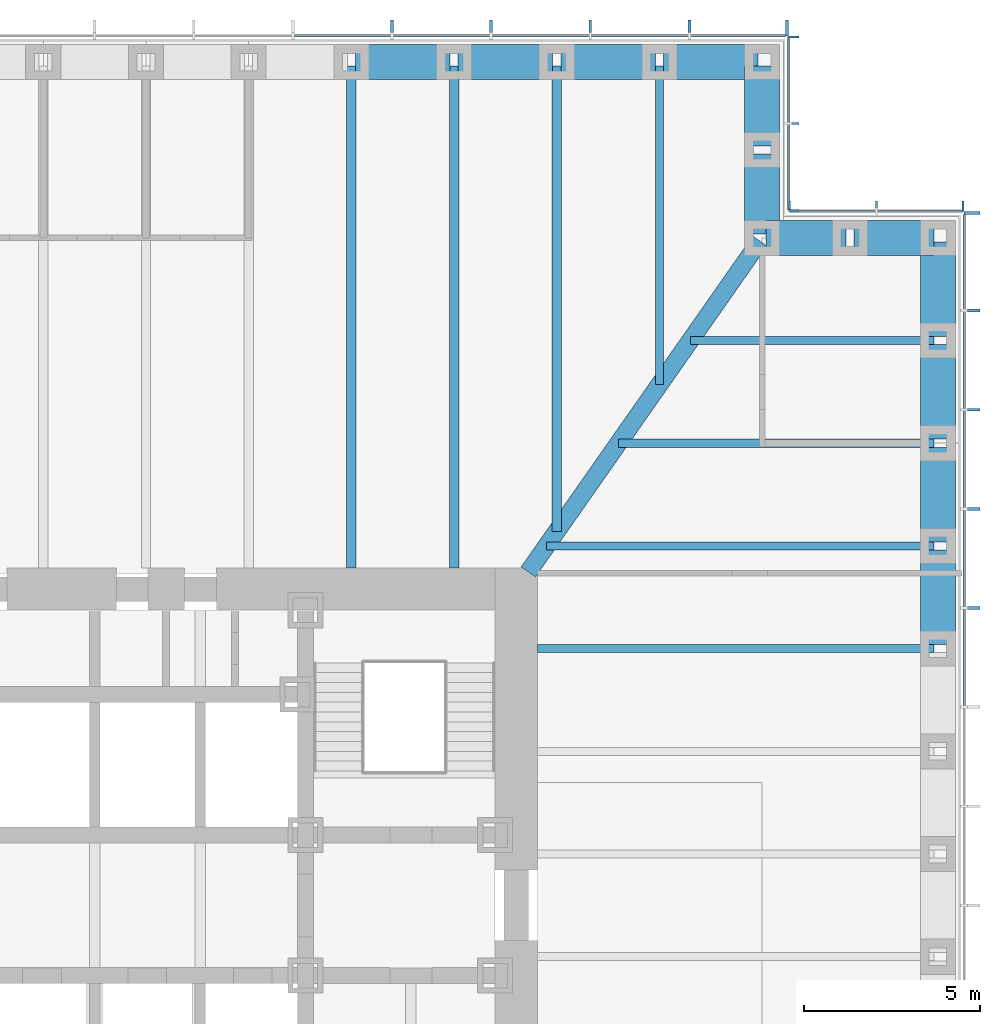
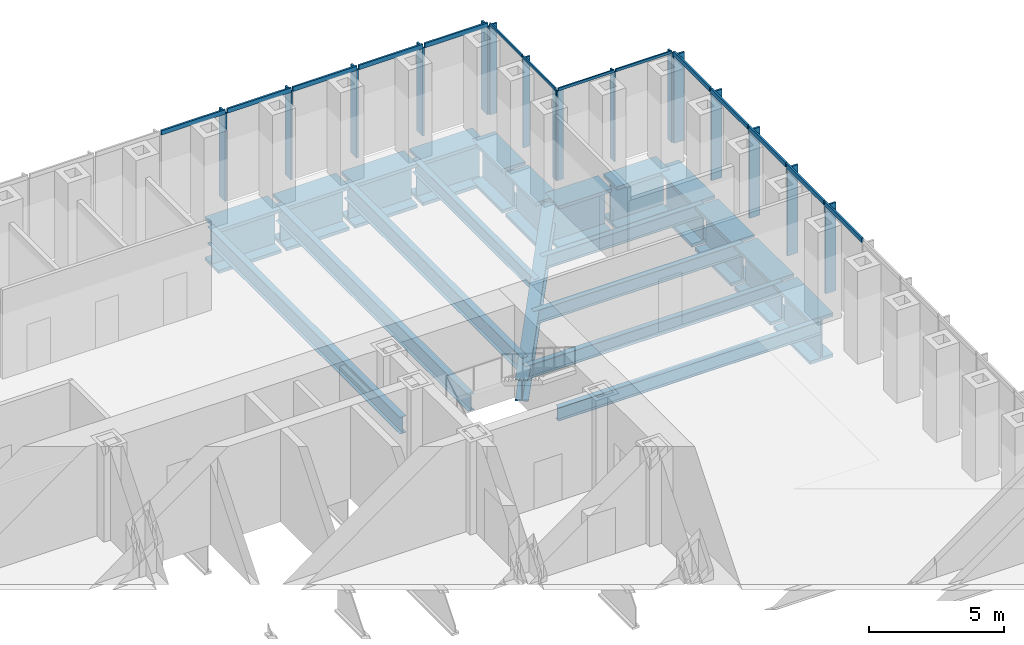
# One storey, part 6 of 16: 30 members, 21 beams, 4 elements without a shape of their own.
"""IFC4 building model written with IfcOpenShell, lengths in metres."""

import ifcopenshell
import ifcopenshell.guid

model = None  # the IFC model being written
_history = None  # IfcOwnerHistory: only IFC2X3 demands one
_inside = {}  # id of a spatial element -> (the spatial element, [elements in it])
_under = {}  # id of a project, library or spatial element -> (it, [spatial elements below it])
_declared = {}  # id of a project -> (the project, [libraries it declares])
_typed = {}  # id of a type object -> (the type object, [elements of that type])
_made_of = {}  # id of a material, layer set ... -> (it, [elements and type objects made of it])


def new_model(schema):
    """Start an empty IFC model of exactly this schema.

    Asked for "IFC4X3", IfcOpenShell would pick the latest addendum, in which some entities
    have other attributes; the version numbers below select the first issue.
    IFC2X3 requires an IfcOwnerHistory on every rooted entity: one is made here for all.
    """
    global model, _history
    if schema == "IFC4X3":
        model = ifcopenshell.file(schema_version=(4, 3, 0, 0))
    else:
        model = ifcopenshell.file(schema=schema)
    _inside.clear()
    _under.clear()
    _declared.clear()
    _typed.clear()
    _made_of.clear()
    _history = None
    if model.schema == "IFC2X3":
        org = make("IfcOrganization", Name="unknown")
        user = make(
            "IfcPersonAndOrganization",
            ThePerson=make("IfcPerson", FamilyName="unknown"),
            TheOrganization=org,
        )
        app = make(
            "IfcApplication",
            ApplicationDeveloper=org,
            Version="unknown",
            ApplicationFullName="unknown",
            ApplicationIdentifier="unknown",
        )
        _history = make(
            "IfcOwnerHistory",
            OwningUser=user,
            OwningApplication=app,
            ChangeAction="ADDED",
            CreationDate=0,
        )
    return model


def make(cls, **values):
    """One entity of the class cls with the attributes given. An attribute that is None is left unset."""
    return model.create_entity(
        cls, **{name: value for name, value in values.items() if value is not None}
    )


def rooted(cls, **values):
    """An entity with a GlobalId (a new one), such as an element, a storey or a relation."""
    return make(cls, GlobalId=ifcopenshell.guid.new(), OwnerHistory=_history, **values)


def si_unit(unit_type, name, prefix=None):
    """IfcSIUnit, for example si_unit("LENGTHUNIT", "METRE", prefix="MILLI")."""
    return make("IfcSIUnit", UnitType=unit_type, Prefix=prefix, Name=name)


def assignment(units):
    """IfcUnitAssignment: the units of a project."""
    return None if units is None else make("IfcUnitAssignment", Units=units)


def point(xyz):
    """IfcCartesianPoint."""
    return None if xyz is None else make("IfcCartesianPoint", Coordinates=xyz)


def direction(xyz):
    """IfcDirection."""
    return None if xyz is None else make("IfcDirection", DirectionRatios=xyz)


def frame(location, z_axis=None, x_axis=None):
    """IfcAxis2Placement3D, a coordinate frame: its origin and axes. An axis left out is left unset."""
    return make(
        "IfcAxis2Placement3D",
        Location=point(location),
        Axis=direction(z_axis),
        RefDirection=direction(x_axis),
    )


def frame_2d(location, x_axis=None):
    """IfcAxis2Placement2D, a coordinate frame in the plane: its origin and x axis."""
    return make(
        "IfcAxis2Placement2D", Location=point(location), RefDirection=direction(x_axis)
    )


def origin():
    """The frame at (0, 0, 0) with its axes left unset."""
    return frame((0.0, 0.0, 0.0))


def origin_2d():
    """The frame at (0, 0) in the plane with its x axis left unset."""
    return frame_2d((0.0, 0.0))


def place(relative_to, where):
    """IfcLocalPlacement: puts the frame where relative to a parent placement (None: the world)."""
    return make(
        "IfcLocalPlacement", PlacementRelTo=relative_to, RelativePlacement=where
    )


def context(
    kind, dimensions, precision=None, world=None, true_north=None, identifier=None
):
    """IfcGeometricRepresentationContext, for example the 3D "Model" context."""
    return make(
        "IfcGeometricRepresentationContext",
        ContextIdentifier=identifier,
        ContextType=kind,
        CoordinateSpaceDimension=dimensions,
        Precision=precision,
        WorldCoordinateSystem=world,
        TrueNorth=true_north,
    )


def subcontext(parent, identifier, kind, view, scale=None):
    """IfcGeometricRepresentationSubContext, for example "Body" below "Model"."""
    return make(
        "IfcGeometricRepresentationSubContext",
        ContextIdentifier=identifier,
        ContextType=kind,
        ParentContext=parent,
        TargetScale=scale,
        TargetView=view,
    )


def project(units=None, contexts=None):
    """IfcProject with its units and contexts."""
    return rooted(
        "IfcProject",
        Name="project",
        RepresentationContexts=contexts,
        UnitsInContext=assignment(units),
    )


def spatial(cls, under=None, at=None, **own):
    """A site, building, storey or space (cls), placed at a placement, below another one or the project."""
    s = rooted(cls, ObjectPlacement=at, **own)
    if under is not None:
        _under.setdefault(under.id(), (under, []))[1].append(s)
    return s


def profile(cls, at=None, kind="AREA", **sizes):
    """A parametric profile (cls). Its sizes go by their IFC names, for example OverallWidth=200.0."""
    return make(cls, ProfileType=kind, Position=at, **sizes)


def rectangle(**sizes):
    """IfcRectangleProfileDef."""
    return profile("IfcRectangleProfileDef", **sizes)


def i_section(**sizes):
    """IfcIShapeProfileDef."""
    return profile("IfcIShapeProfileDef", **sizes)


def extrude(swept, where, along, depth):
    """IfcExtrudedAreaSolid: the profile swept, set in the frame where, extruded along a direction by depth."""
    return make(
        "IfcExtrudedAreaSolid",
        SweptArea=swept,
        Position=where,
        ExtrudedDirection=direction(along),
        Depth=depth,
    )


def shape(context_of_items, identifier, shape_type, items):
    """IfcShapeRepresentation: the items that make up one representation, for example the "Body"."""
    return make(
        "IfcShapeRepresentation",
        ContextOfItems=context_of_items,
        RepresentationIdentifier=identifier,
        RepresentationType=shape_type,
        Items=items,
    )


def material(Name=None, Category=None):
    """IfcMaterial."""
    return make("IfcMaterial", Name=Name, Category=Category)


def material_profile(
    of_material, cross_section, Name=None, Category=None, Priority=None
):
    """IfcMaterialProfile: a cross section and its material."""
    return make(
        "IfcMaterialProfile",
        Name=Name,
        Material=of_material,
        Profile=cross_section,
        Priority=Priority,
        Category=Category,
    )


def profile_set(profiles, Name=None, composite=None):
    """IfcMaterialProfileSet."""
    return make(
        "IfcMaterialProfileSet",
        Name=Name,
        MaterialProfiles=profiles,
        CompositeProfile=composite,
    )


def made_of(thing, what):
    """Note that an element or type object is made of a material, layer set ...; save() writes the relation."""
    if what is not None:
        _made_of.setdefault(what.id(), (what, []))[1].append(thing)
    return thing


def type_object(cls, material=None, **own):
    """A type object (cls), such as IfcWallType, which elements share."""
    return made_of(rooted(cls, **own), material)


def element(
    cls,
    number,
    at=None,
    inside=None,
    cuts=None,
    type_object=None,
    material=None,
    context=None,
    identifier="Body",
    shape_type=None,
    held_by="IfcProductDefinitionShape",
    body=None,
    shapes=None,
    **own,
):
    """One element of the class cls, such as IfcWall. Its Tag is "e" and its number.

    at: its placement. inside: the storey or other place that contains it. cuts: it is an
    opening in that element (IfcRelVoidsElement). A single representation is given by context,
    identifier, shape_type and body (its items); several are given by shapes. held_by: the class
    of the entity that holds the representations. save() writes the other relations.
    """
    e = rooted(cls, Tag="e%d" % number, ObjectPlacement=at, **own)
    if body is not None:
        shapes = [shape(context, identifier, shape_type, body)]
    if shapes is not None:
        e.Representation = make(held_by, Representations=shapes)
    if inside is not None:
        _inside.setdefault(inside.id(), (inside, []))[1].append(e)
    if cuts is not None:
        rooted(
            "IfcRelVoidsElement", RelatingBuildingElement=cuts, RelatedOpeningElement=e
        )
    if type_object is not None:
        _typed.setdefault(type_object.id(), (type_object, []))[1].append(e)
    return made_of(e, material)


def aggregate(whole, parts):
    """IfcRelAggregates: a whole, such as a stair, and the parts it consists of."""
    return rooted("IfcRelAggregates", RelatingObject=whole, RelatedObjects=parts)


def save(model, path):
    """Write the relations noted so far, then the file.

    IfcRelAggregates (storeys below a building ...), IfcRelContainedInSpatialStructure (elements
    in a storey), IfcRelDefinesByType, IfcRelAssociatesMaterial and IfcRelDeclares: one each for
    every whole, place, type object, material and project.
    """
    for whole, parts in _under.values():
        aggregate(whole, parts)
    for where, things in _inside.values():
        rooted(
            "IfcRelContainedInSpatialStructure",
            RelatedElements=things,
            RelatingStructure=where,
        )
    for kind, things in _typed.values():
        rooted("IfcRelDefinesByType", RelatedObjects=things, RelatingType=kind)
    for what, things in _made_of.values():
        rooted("IfcRelAssociatesMaterial", RelatedObjects=things, RelatingMaterial=what)
    for by, libraries in _declared.values():
        rooted("IfcRelDeclares", RelatingContext=by, RelatedDefinitions=libraries)
    model.write(path)


model = new_model("IFC4")

# Units and contexts
model_context = context("Model", 3, precision=1e-05, world=origin(), true_north=direction((0.0, 1.0)))
body_context = subcontext(model_context, "Body", "Model", "MODEL_VIEW")
ifc_project = project(units=[si_unit("LENGTHUNIT", "METRE"), si_unit("AREAUNIT", "SQUARE_METRE"), si_unit("VOLUMEUNIT", "CUBIC_METRE"), si_unit("PLANEANGLEUNIT", "RADIAN"), si_unit("MASSUNIT", "GRAM", prefix="KILO")], contexts=[model_context])

# Site, building, storey
site_placement = place(None, origin())
site = spatial("IfcSite", under=ifc_project, at=site_placement, CompositionType="ELEMENT")
building_placement = place(site_placement, origin())
building = spatial("IfcBuilding", under=site, at=building_placement, Name="Daluyong Arena Tower", CompositionType="ELEMENT")
storey_placement = place(building_placement, frame((0.0, 0.0, 43.300048828125)))
storey = spatial("IfcBuildingStorey", under=building, at=storey_placement, Name="L08", CompositionType="ELEMENT", Elevation=43.300048828125)

# Curtain wall, members
ifc_material_1 = material(Name="Bronze anodised aluminium and glass", Category="aluminium")
curtain_wall_type_1 = type_object("IfcCurtainWallType", Name="Curtain wall CW1", PredefinedType="USERDEFINED", material=ifc_material_1)
curtain_wall_1_placement = place(storey_placement, origin())
curtain_wall_1 = element("IfcCurtainWall", 1, at=curtain_wall_1_placement, inside=storey, type_object=curtain_wall_type_1, Name="curtain wall L08 E", ObjectType="UNITISED CURTAIN WALL", PredefinedType="USERDEFINED")
ifc_material_2 = material(Name="Bronze anodised aluminium fin", Category="aluminium")
ifc_material_profile_1 = material_profile(ifc_material_2, rectangle(XDim=0.449951171875, YDim=0.080078125, at=origin_2d()))
ifc_profile_set_1 = profile_set([ifc_material_profile_1], Name="Bronze anodised aluminium fin")
member_type_1 = type_object("IfcMemberType", Name="CW1 bronze fin 450x80", PredefinedType="MULLION", material=ifc_profile_set_1)
member_1_placement = place(storey_placement, frame((80.97509765625, 88.46435546875, 0.0), z_axis=(0.0, 0.0, 1.0), x_axis=(-1.0, 0.0, 0.0)))
member_1 = element("IfcMember", 2, at=member_1_placement, type_object=member_type_1, Name="curtain wall L08 E fin 11", PredefinedType="MULLION", context=body_context, shape_type="SweptSolid", body=[
    extrude(rectangle(XDim=0.449951171875, YDim=0.080078125, at=origin_2d()), origin(), (0.0, 0.0, 1.0), 4.0),
])
member_2_placement = place(storey_placement, frame((80.97509765625, 91.28564453125, 0.0), z_axis=(0.0, 0.0, 1.0), x_axis=(-1.0, 0.0, 0.0)))
member_2 = element("IfcMember", 3, at=member_2_placement, type_object=member_type_1, Name="curtain wall L08 E fin 12", PredefinedType="MULLION", context=body_context, shape_type="SweptSolid", body=[
    extrude(rectangle(XDim=0.449951171875, YDim=0.080078125, at=origin_2d()), origin(), (0.0, 0.0, 1.0), 4.0),
])
member_3_placement = place(storey_placement, frame((80.97509765625, 94.107177734375, 0.0), z_axis=(0.0, 0.0, 1.0), x_axis=(-1.0, 0.0, 0.0)))
member_3 = element("IfcMember", 4, at=member_3_placement, type_object=member_type_1, Name="curtain wall L08 E fin 13", PredefinedType="MULLION", context=body_context, shape_type="SweptSolid", body=[
    extrude(rectangle(XDim=0.449951171875, YDim=0.080078125, at=origin_2d()), origin(), (0.0, 0.0, 1.0), 4.0),
])
member_4_placement = place(storey_placement, frame((80.97509765625, 96.928466796875, 0.0), z_axis=(0.0, 0.0, 1.0), x_axis=(-1.0, 0.0, 0.0)))
member_4 = element("IfcMember", 5, at=member_4_placement, type_object=member_type_1, Name="curtain wall L08 E fin 14", PredefinedType="MULLION", context=body_context, shape_type="SweptSolid", body=[
    extrude(rectangle(XDim=0.449951171875, YDim=0.080078125, at=origin_2d()), origin(), (0.0, 0.0, 1.0), 4.0),
])
member_5_placement = place(storey_placement, frame((80.97509765625, 99.7099609375, 0.0), z_axis=(0.0, 0.0, 1.0), x_axis=(-1.0, 0.0, 0.0)))
member_5 = element("IfcMember", 6, at=member_5_placement, type_object=member_type_1, Name="curtain wall L08 E fin 15", PredefinedType="MULLION", context=body_context, shape_type="SweptSolid", body=[
    extrude(rectangle(XDim=0.449951171875, YDim=0.080078125, at=origin_2d()), origin(), (0.0, 0.0, 1.0), 4.0),
])

curtain_wall_2_placement = place(storey_placement, origin())
curtain_wall_2 = element("IfcCurtainWall", 7, at=curtain_wall_2_placement, inside=storey, type_object=curtain_wall_type_1, Name="curtain wall L08 N", ObjectType="UNITISED CURTAIN WALL", PredefinedType="USERDEFINED")
member_6_placement = place(storey_placement, frame((75.7099609375, 104.97509765625, 0.0), z_axis=(0.0, 0.0, 1.0), x_axis=(0.0, -1.0, 0.0)))
member_6 = element("IfcMember", 8, at=member_6_placement, type_object=member_type_1, Name="curtain wall L08 N fin 1", PredefinedType="MULLION", context=body_context, shape_type="SweptSolid", body=[
    extrude(rectangle(XDim=0.449951171875, YDim=0.080078125, at=origin_2d()), origin(), (0.0, 0.0, 1.0), 4.0),
])
member_7_placement = place(storey_placement, frame((72.928466796875, 104.97509765625, 0.0), z_axis=(0.0, 0.0, 1.0), x_axis=(0.0, -1.0, 0.0)))
member_7 = element("IfcMember", 9, at=member_7_placement, type_object=member_type_1, Name="curtain wall L08 N fin 2", PredefinedType="MULLION", context=body_context, shape_type="SweptSolid", body=[
    extrude(rectangle(XDim=0.449951171875, YDim=0.080078125, at=origin_2d()), origin(), (0.0, 0.0, 1.0), 4.0),
])
member_8_placement = place(storey_placement, frame((70.107177734375, 104.97509765625, 0.0), z_axis=(0.0, 0.0, 1.0), x_axis=(0.0, -1.0, 0.0)))
member_8 = element("IfcMember", 10, at=member_8_placement, type_object=member_type_1, Name="curtain wall L08 N fin 3", PredefinedType="MULLION", context=body_context, shape_type="SweptSolid", body=[
    extrude(rectangle(XDim=0.449951171875, YDim=0.080078125, at=origin_2d()), origin(), (0.0, 0.0, 1.0), 4.0),
])
member_9_placement = place(storey_placement, frame((67.28564453125, 104.97509765625, 0.0), z_axis=(0.0, 0.0, 1.0), x_axis=(0.0, -1.0, 0.0)))
member_9 = element("IfcMember", 11, at=member_9_placement, type_object=member_type_1, Name="curtain wall L08 N fin 4", PredefinedType="MULLION", context=body_context, shape_type="SweptSolid", body=[
    extrude(rectangle(XDim=0.449951171875, YDim=0.080078125, at=origin_2d()), origin(), (0.0, 0.0, 1.0), 4.0),
])
member_10_placement = place(storey_placement, frame((64.46435546875, 104.97509765625, 0.0), z_axis=(0.0, 0.0, 1.0), x_axis=(0.0, -1.0, 0.0)))
member_10 = element("IfcMember", 12, at=member_10_placement, type_object=member_type_1, Name="curtain wall L08 N fin 5", PredefinedType="MULLION", context=body_context, shape_type="SweptSolid", body=[
    extrude(rectangle(XDim=0.449951171875, YDim=0.080078125, at=origin_2d()), origin(), (0.0, 0.0, 1.0), 4.0),
])

# Member
ifc_material_3 = material(Name="Bronze anodised aluminium", Category="aluminium")
ifc_material_profile_2 = material_profile(ifc_material_3, rectangle(XDim=0.080078125, YDim=0.199951171875, at=origin_2d()))
ifc_profile_set_2 = profile_set([ifc_material_profile_2], Name="Bronze anodised aluminium")
member_type_2 = type_object("IfcMemberType", Name="CW1 stack transom 200x80", PredefinedType="USERDEFINED", material=ifc_profile_set_2)
member_11_placement = place(storey_placement, frame((80.75, 85.682861328125, 4.099853515625), z_axis=(0.0, 1.0, 0.0), x_axis=(-1.0, 0.0, 0.0)))
member_11 = element("IfcMember", 13, at=member_11_placement, type_object=member_type_2, Name="curtain wall L08 E transom 10", ObjectType="TRANSOM", PredefinedType="USERDEFINED", context=body_context, shape_type="SweptSolid", body=[
    extrude(rectangle(XDim=0.080078125, YDim=0.199951171875, at=origin_2d()), origin(), (0.0, 0.0, 1.0), 2.741455078125),
])

member_12_placement = place(storey_placement, frame((80.75, 88.50439453125, 4.099853515625), z_axis=(0.0, 1.0, 0.0), x_axis=(-1.0, 0.0, 0.0)))
member_12 = element("IfcMember", 14, at=member_12_placement, type_object=member_type_2, Name="curtain wall L08 E transom 11", ObjectType="TRANSOM", PredefinedType="USERDEFINED", context=body_context, shape_type="SweptSolid", body=[
    extrude(rectangle(XDim=0.080078125, YDim=0.199951171875, at=origin_2d()), origin(), (0.0, 0.0, 1.0), 2.7412109375),
])

member_13_placement = place(storey_placement, frame((80.75, 91.32568359375, 4.099853515625), z_axis=(0.0, 1.0, 0.0), x_axis=(-1.0, 0.0, 0.0)))
member_13 = element("IfcMember", 15, at=member_13_placement, type_object=member_type_2, Name="curtain wall L08 E transom 12", ObjectType="TRANSOM", PredefinedType="USERDEFINED", context=body_context, shape_type="SweptSolid", body=[
    extrude(rectangle(XDim=0.080078125, YDim=0.199951171875, at=origin_2d()), origin(), (0.0, 0.0, 1.0), 2.741455078125),
])

member_14_placement = place(storey_placement, frame((80.75, 94.147216796875, 4.099853515625), z_axis=(0.0, 1.0, 0.0), x_axis=(-1.0, 0.0, 0.0)))
member_14 = element("IfcMember", 16, at=member_14_placement, type_object=member_type_2, Name="curtain wall L08 E transom 13", ObjectType="TRANSOM", PredefinedType="USERDEFINED", context=body_context, shape_type="SweptSolid", body=[
    extrude(rectangle(XDim=0.080078125, YDim=0.199951171875, at=origin_2d()), origin(), (0.0, 0.0, 1.0), 2.741455078125),
])

member_15_placement = place(storey_placement, frame((80.75, 96.968505859375, 4.099853515625), z_axis=(0.0, 1.0, 0.0), x_axis=(-1.0, 0.0, 0.0)))
member_15 = element("IfcMember", 17, at=member_15_placement, type_object=member_type_2, Name="curtain wall L08 E transom 14", ObjectType="TRANSOM", PredefinedType="USERDEFINED", context=body_context, shape_type="SweptSolid", body=[
    extrude(rectangle(XDim=0.080078125, YDim=0.199951171875, at=origin_2d()), origin(), (0.0, 0.0, 1.0), 2.701416015625),
])

aggregate(curtain_wall_1, [member_1, member_2, member_3, member_4, member_5, member_11, member_12, member_13, member_14, member_15])

member_16_placement = place(storey_placement, frame((75.669921875, 104.75, 4.099853515625), z_axis=(-1.0, 0.0, 0.0), x_axis=(0.0, -1.0, 0.0)))
member_16 = element("IfcMember", 18, at=member_16_placement, type_object=member_type_2, Name="curtain wall L08 N transom 1", ObjectType="TRANSOM", PredefinedType="USERDEFINED", context=body_context, shape_type="SweptSolid", body=[
    extrude(rectangle(XDim=0.080078125, YDim=0.199951171875, at=origin_2d()), origin(), (0.0, 0.0, 1.0), 2.701416015625),
])

member_17_placement = place(storey_placement, frame((72.888671875, 104.75, 4.099853515625), z_axis=(-1.0, 0.0, 0.0), x_axis=(0.0, -1.0, 0.0)))
member_17 = element("IfcMember", 19, at=member_17_placement, type_object=member_type_2, Name="curtain wall L08 N transom 2", ObjectType="TRANSOM", PredefinedType="USERDEFINED", context=body_context, shape_type="SweptSolid", body=[
    extrude(rectangle(XDim=0.080078125, YDim=0.199951171875, at=origin_2d()), origin(), (0.0, 0.0, 1.0), 2.741455078125),
])

member_18_placement = place(storey_placement, frame((70.067138671875, 104.75, 4.099853515625), z_axis=(-1.0, 0.0, 0.0), x_axis=(0.0, -1.0, 0.0)))
member_18 = element("IfcMember", 20, at=member_18_placement, type_object=member_type_2, Name="curtain wall L08 N transom 3", ObjectType="TRANSOM", PredefinedType="USERDEFINED", context=body_context, shape_type="SweptSolid", body=[
    extrude(rectangle(XDim=0.080078125, YDim=0.199951171875, at=origin_2d()), origin(), (0.0, 0.0, 1.0), 2.741455078125),
])

member_19_placement = place(storey_placement, frame((67.24560546875, 104.75, 4.099853515625), z_axis=(-1.0, 0.0, 0.0), x_axis=(0.0, -1.0, 0.0)))
member_19 = element("IfcMember", 21, at=member_19_placement, type_object=member_type_2, Name="curtain wall L08 N transom 4", ObjectType="TRANSOM", PredefinedType="USERDEFINED", context=body_context, shape_type="SweptSolid", body=[
    extrude(rectangle(XDim=0.080078125, YDim=0.199951171875, at=origin_2d()), origin(), (0.0, 0.0, 1.0), 2.7412109375),
])

member_20_placement = place(storey_placement, frame((64.42431640625, 104.75, 4.099853515625), z_axis=(-1.0, 0.0, 0.0), x_axis=(0.0, -1.0, 0.0)))
member_20 = element("IfcMember", 22, at=member_20_placement, type_object=member_type_2, Name="curtain wall L08 N transom 5", ObjectType="TRANSOM", PredefinedType="USERDEFINED", context=body_context, shape_type="SweptSolid", body=[
    extrude(rectangle(XDim=0.080078125, YDim=0.199951171875, at=origin_2d()), origin(), (0.0, 0.0, 1.0), 2.741455078125),
])

aggregate(curtain_wall_2, [member_6, member_7, member_8, member_9, member_10, member_16, member_17, member_18, member_19, member_20])

# Curtain wall, members
ifc_material_4 = material(Name="Bronze anodised aluminium and glass", Category="aluminium")
curtain_wall_type_2 = type_object("IfcCurtainWallType", Name="Curtain wall CW7", PredefinedType="USERDEFINED", material=ifc_material_4)
curtain_wall_3_placement = place(storey_placement, origin())
curtain_wall_3 = element("IfcCurtainWall", 23, at=curtain_wall_3_placement, inside=storey, type_object=curtain_wall_type_2, Name="curtain wall L08 NE-N", ObjectType="UNITISED CURTAIN WALL", PredefinedType="USERDEFINED")
ifc_material_5 = material(Name="Bronze anodised aluminium fin", Category="aluminium")
ifc_material_profile_3 = material_profile(ifc_material_5, rectangle(XDim=0.300048828125, YDim=0.06005859375, at=origin_2d()))
ifc_profile_set_3 = profile_set([ifc_material_profile_3], Name="Bronze anodised aluminium fin")
member_type_3 = type_object("IfcMemberType", Name="CW7 bronze fin 300x60", PredefinedType="MULLION", material=ifc_profile_set_3)
member_21_placement = place(storey_placement, frame((80.719970703125, 99.89990234375, 0.0), z_axis=(0.0, 0.0, 1.0), x_axis=(0.0, -1.0, 0.0)))
member_21 = element("IfcMember", 24, at=member_21_placement, type_object=member_type_3, Name="curtain wall L08 NE-N fin 1", PredefinedType="MULLION", context=body_context, shape_type="SweptSolid", body=[
    extrude(rectangle(XDim=0.300048828125, YDim=0.06005859375, at=origin_2d()), origin(), (0.0, 0.0, 1.0), 4.079833984375),
])
member_22_placement = place(storey_placement, frame((78.25, 99.89990234375, 0.0), z_axis=(0.0, 0.0, 1.0), x_axis=(0.0, -1.0, 0.0)))
member_22 = element("IfcMember", 25, at=member_22_placement, type_object=member_type_3, Name="curtain wall L08 NE-N fin 2", PredefinedType="MULLION", context=body_context, shape_type="SweptSolid", body=[
    extrude(rectangle(XDim=0.300048828125, YDim=0.06005859375, at=origin_2d()), origin(), (0.0, 0.0, 1.0), 4.079833984375),
])
member_23_placement = place(storey_placement, frame((75.780029296875, 99.89990234375, 0.0), z_axis=(0.0, 0.0, 1.0), x_axis=(0.0, -1.0, 0.0)))
member_23 = element("IfcMember", 26, at=member_23_placement, type_object=member_type_3, Name="curtain wall L08 NE-N fin 3", PredefinedType="MULLION", context=body_context, shape_type="SweptSolid", body=[
    extrude(rectangle(XDim=0.300048828125, YDim=0.06005859375, at=origin_2d()), origin(), (0.0, 0.0, 1.0), 4.079833984375),
])

curtain_wall_4_placement = place(storey_placement, origin())
curtain_wall_4 = element("IfcCurtainWall", 27, at=curtain_wall_4_placement, inside=storey, type_object=curtain_wall_type_2, Name="curtain wall L08 NE-E", ObjectType="UNITISED CURTAIN WALL", PredefinedType="USERDEFINED")
member_24_placement = place(storey_placement, frame((75.89990234375, 99.780029296875, 0.0), z_axis=(0.0, 0.0, 1.0), x_axis=(-1.0, 0.0, 0.0)))
member_24 = element("IfcMember", 28, at=member_24_placement, type_object=member_type_3, Name="curtain wall L08 NE-E fin 1", PredefinedType="MULLION", context=body_context, shape_type="SweptSolid", body=[
    extrude(rectangle(XDim=0.300048828125, YDim=0.06005859375, at=origin_2d()), origin(), (0.0, 0.0, 1.0), 4.079833984375),
])
member_25_placement = place(storey_placement, frame((75.89990234375, 102.25, 0.0), z_axis=(0.0, 0.0, 1.0), x_axis=(-1.0, 0.0, 0.0)))
member_25 = element("IfcMember", 29, at=member_25_placement, type_object=member_type_3, Name="curtain wall L08 NE-E fin 2", PredefinedType="MULLION", context=body_context, shape_type="SweptSolid", body=[
    extrude(rectangle(XDim=0.300048828125, YDim=0.06005859375, at=origin_2d()), origin(), (0.0, 0.0, 1.0), 4.079833984375),
])
member_26_placement = place(storey_placement, frame((75.89990234375, 104.719970703125, 0.0), z_axis=(0.0, 0.0, 1.0), x_axis=(-1.0, 0.0, 0.0)))
member_26 = element("IfcMember", 30, at=member_26_placement, type_object=member_type_3, Name="curtain wall L08 NE-E fin 3", PredefinedType="MULLION", context=body_context, shape_type="SweptSolid", body=[
    extrude(rectangle(XDim=0.300048828125, YDim=0.06005859375, at=origin_2d()), origin(), (0.0, 0.0, 1.0), 4.079833984375),
])

# Member
ifc_material_6 = material(Name="Bronze anodised aluminium", Category="aluminium")
ifc_material_profile_4 = material_profile(ifc_material_6, rectangle(XDim=0.06005859375, YDim=0.1201171875, at=origin_2d()))
ifc_profile_set_4 = profile_set([ifc_material_profile_4], Name="Bronze anodised aluminium")
member_type_4 = type_object("IfcMemberType", Name="CW7 stack transom 120x60", PredefinedType="USERDEFINED", material=ifc_profile_set_4)
member_27_placement = place(storey_placement, frame((80.68994140625, 99.75, 4.139892578125), z_axis=(-1.0, 0.0, 0.0), x_axis=(0.0, -1.0, 0.0)))
member_27 = element("IfcMember", 31, at=member_27_placement, type_object=member_type_4, Name="curtain wall L08 NE-N transom 1", ObjectType="TRANSOM", PredefinedType="USERDEFINED", context=body_context, shape_type="SweptSolid", body=[
    extrude(rectangle(XDim=0.06005859375, YDim=0.1201171875, at=origin_2d()), origin(), (0.0, 0.0, 1.0), 2.409912109375),
])

member_28_placement = place(storey_placement, frame((78.219970703125, 99.75, 4.139892578125), z_axis=(-1.0, 0.0, 0.0), x_axis=(0.0, -1.0, 0.0)))
member_28 = element("IfcMember", 32, at=member_28_placement, type_object=member_type_4, Name="curtain wall L08 NE-N transom 2", ObjectType="TRANSOM", PredefinedType="USERDEFINED", context=body_context, shape_type="SweptSolid", body=[
    extrude(rectangle(XDim=0.06005859375, YDim=0.1201171875, at=origin_2d()), origin(), (0.0, 0.0, 1.0), 2.409912109375),
])

aggregate(curtain_wall_3, [member_21, member_22, member_23, member_27, member_28])

member_29_placement = place(storey_placement, frame((75.75, 99.81005859375, 4.139892578125), z_axis=(0.0, 1.0, 0.0), x_axis=(-1.0, 0.0, 0.0)))
member_29 = element("IfcMember", 33, at=member_29_placement, type_object=member_type_4, Name="curtain wall L08 NE-E transom 1", ObjectType="TRANSOM", PredefinedType="USERDEFINED", context=body_context, shape_type="SweptSolid", body=[
    extrude(rectangle(XDim=0.06005859375, YDim=0.1201171875, at=origin_2d()), origin(), (0.0, 0.0, 1.0), 2.409912109375),
])

member_30_placement = place(storey_placement, frame((75.75, 102.280029296875, 4.139892578125), z_axis=(0.0, 1.0, 0.0), x_axis=(-1.0, 0.0, 0.0)))
member_30 = element("IfcMember", 34, at=member_30_placement, type_object=member_type_4, Name="curtain wall L08 NE-E transom 2", ObjectType="TRANSOM", PredefinedType="USERDEFINED", context=body_context, shape_type="SweptSolid", body=[
    extrude(rectangle(XDim=0.06005859375, YDim=0.1201171875, at=origin_2d()), origin(), (0.0, 0.0, 1.0), 2.409912109375),
])

aggregate(curtain_wall_4, [member_24, member_25, member_26, member_29, member_30])

# Beams
ifc_material_7 = material(Name="Steel ASTM A572 Grade 50", Category="steel")
ifc_material_profile_5 = material_profile(ifc_material_7, i_section(OverallWidth=0.5, OverallDepth=1.0, WebThickness=0.03, FlangeThickness=0.06, at=origin_2d()))
ifc_profile_set_5 = profile_set([ifc_material_profile_5], Name="Steel ASTM A572 Grade 50")
beam_type_1 = type_object("IfcBeamType", Name="Corner girder TB1000X500", PredefinedType="BEAM", material=ifc_profile_set_5)
beam_1_placement = place(storey_placement, frame((74.93408203125, 98.90576171875, -0.66015625), z_axis=(-0.573466621875, -0.819228926244, 0.0), x_axis=(0.819228926244, -0.573466621875, 0.0)))
element("IfcBeam", 35, at=beam_1_placement, inside=storey, type_object=beam_type_1, Name="corner girder DG2", PredefinedType="BEAM", context=body_context, shape_type="SweptSolid", body=[
    extrude(i_section(OverallWidth=0.5, OverallDepth=1.0, WebThickness=0.03, FlangeThickness=0.06, at=origin_2d()), origin(), (0.0, 0.0, 1.0), 11.49169921875),
])
ifc_material_8 = material(Name="Steel ASTM A992 Grade 50", Category="steel")
ifc_material_profile_6 = material_profile(ifc_material_8, i_section(OverallWidth=0.22900390625, OverallDepth=0.612060546875, WebThickness=0.011962890625, FlangeThickness=0.01953125, at=origin_2d()))
ifc_profile_set_6 = profile_set([ifc_material_profile_6], Name="Steel ASTM A992 Grade 50")
beam_type_2 = type_object("IfcBeamType", Name="Floor beam W24X84", PredefinedType="BEAM", material=ifc_profile_set_6)
beam_2_placement = place(storey_placement, frame((79.885009765625, 87.3076171875, -0.466064453125), z_axis=(-1.0, 0.0, 0.0), x_axis=(0.0, -1.0, 0.0)))
element("IfcBeam", 36, at=beam_2_placement, inside=storey, type_object=beam_type_2, Name="floor beam FB3", PredefinedType="BEAM", context=body_context, shape_type="SweptSolid", body=[
    extrude(i_section(OverallWidth=0.22900390625, OverallDepth=0.612060546875, WebThickness=0.011962890625, FlangeThickness=0.01953125, at=origin_2d()), origin(), (0.0, 0.0, 1.0), 11.284912109375),
])
beam_3_placement = place(storey_placement, frame((79.885009765625, 90.230712890625, -0.466064453125), z_axis=(-1.0, 0.0, 0.0), x_axis=(0.0, -1.0, 0.0)))
element("IfcBeam", 37, at=beam_3_placement, inside=storey, type_object=beam_type_2, Name="floor beam FB3", PredefinedType="BEAM", context=body_context, shape_type="SweptSolid", body=[
    extrude(i_section(OverallWidth=0.22900390625, OverallDepth=0.612060546875, WebThickness=0.011962890625, FlangeThickness=0.01953125, at=origin_2d()), origin(), (0.0, 0.0, 1.0), 11.0234375),
])
beam_4_placement = place(storey_placement, frame((79.885009765625, 93.15380859375, -0.466064453125), z_axis=(-1.0, 0.0, 0.0), x_axis=(0.0, -1.0, 0.0)))
element("IfcBeam", 38, at=beam_4_placement, inside=storey, type_object=beam_type_2, Name="floor beam FB3", PredefinedType="BEAM", context=body_context, shape_type="SweptSolid", body=[
    extrude(i_section(OverallWidth=0.22900390625, OverallDepth=0.612060546875, WebThickness=0.011962890625, FlangeThickness=0.01953125, at=origin_2d()), origin(), (0.0, 0.0, 1.0), 8.977294921875),
])
beam_5_placement = place(storey_placement, frame((79.885009765625, 96.076904296875, -0.466064453125), z_axis=(-1.0, 0.0, 0.0), x_axis=(0.0, -1.0, 0.0)))
element("IfcBeam", 39, at=beam_5_placement, inside=storey, type_object=beam_type_2, Name="floor beam FB3", PredefinedType="BEAM", context=body_context, shape_type="SweptSolid", body=[
    extrude(i_section(OverallWidth=0.22900390625, OverallDepth=0.612060546875, WebThickness=0.011962890625, FlangeThickness=0.01953125, at=origin_2d()), origin(), (0.0, 0.0, 1.0), 6.93115234375),
])
beam_6_placement = place(storey_placement, frame((72.076904296875, 103.885009765625, -0.466064453125), z_axis=(0.0, -1.0, 0.0), x_axis=(1.0, 0.0, 0.0)))
element("IfcBeam", 40, at=beam_6_placement, inside=storey, type_object=beam_type_2, Name="floor beam FB3", PredefinedType="BEAM", context=body_context, shape_type="SweptSolid", body=[
    extrude(i_section(OverallWidth=0.22900390625, OverallDepth=0.612060546875, WebThickness=0.011962890625, FlangeThickness=0.01953125, at=origin_2d()), origin(), (0.0, 0.0, 1.0), 9.060791015625),
])
ifc_material_9 = material(Name="Steel ASTM A992 Grade 50", Category="steel")
ifc_material_profile_7 = material_profile(ifc_material_9, i_section(OverallWidth=0.2666015625, OverallDepth=0.761962890625, WebThickness=0.014404296875, FlangeThickness=0.021484375, at=origin_2d()))
ifc_profile_set_7 = profile_set([ifc_material_profile_7], Name="Steel ASTM A992 Grade 50")
beam_type_3 = type_object("IfcBeamType", Name="Floor beam W30X116", PredefinedType="BEAM", material=ifc_profile_set_7)
beam_7_placement = place(storey_placement, frame((69.15380859375, 103.885009765625, -0.541015625), z_axis=(0.0, -1.0, 0.0), x_axis=(1.0, 0.0, 0.0)))
element("IfcBeam", 41, at=beam_7_placement, inside=storey, type_object=beam_type_3, Name="floor beam FB4", PredefinedType="BEAM", context=body_context, shape_type="SweptSolid", body=[
    extrude(i_section(OverallWidth=0.2666015625, OverallDepth=0.761962890625, WebThickness=0.014404296875, FlangeThickness=0.021484375, at=origin_2d()), origin(), (0.0, 0.0, 1.0), 13.236572265625),
])
for number, where, z_axis, x_axis, name in (
    (42, (66.230712890625, 103.885009765625, -0.541015625), (0.0, -1.0, 0.0), (1.0, 0.0, 0.0), "floor beam FB4"),
    (43, (63.3076171875, 103.885009765625, -0.541015625), (0.0, -1.0, 0.0), (1.0, 0.0, 0.0), "floor beam FB4"),
):
    element("IfcBeam", number, at=place(storey_placement, frame(where, z_axis=z_axis, x_axis=x_axis)), inside=storey, type_object=beam_type_3, Name=name, PredefinedType="BEAM", context=body_context, shape_type="SweptSolid", body=[
        extrude(i_section(OverallWidth=0.2666015625, OverallDepth=0.761962890625, WebThickness=0.014404296875, FlangeThickness=0.021484375, at=origin_2d()), origin(), (0.0, 0.0, 1.0), 14.284912109375),
    ])
ifc_material_10 = material(Name="Steel ASTM A588 Grade 50", Category="steel")
ifc_material_profile_8 = material_profile(ifc_material_10, i_section(OverallWidth=1.0, OverallDepth=2.0, WebThickness=0.06, FlangeThickness=0.15, at=origin_2d()))
ifc_profile_set_8 = profile_set([ifc_material_profile_8], Name="Steel ASTM A588 Grade 50")
beam_type_4 = type_object("IfcBeamType", Name="Spandrel Z1 PG2000X1000", PredefinedType="SPANDREL", material=ifc_profile_set_8)
for number, where, z_axis, x_axis, name in (
    (44, (80.0, 87.422607421875, -1.16015625), (0.0, 1.0, 0.0), (-1.0, 0.0, 0.0), "spandrel z1 SB2"),
    (45, (80.0, 90.345703125, -1.16015625), (0.0, 1.0, 0.0), (-1.0, 0.0, 0.0), "spandrel z1 SB2"),
    (46, (80.0, 93.268798828125, -1.16015625), (0.0, 1.0, 0.0), (-1.0, 0.0, 0.0), "spandrel z1 SB2"),
    (47, (80.0, 96.19189453125, -1.16015625), (0.0, 1.0, 0.0), (-1.0, 0.0, 0.0), "spandrel z1 SB2"),
):
    element("IfcBeam", number, at=place(storey_placement, frame(where, z_axis=z_axis, x_axis=x_axis)), inside=storey, type_object=beam_type_4, Name=name, PredefinedType="SPANDREL", context=body_context, shape_type="SweptSolid", body=[
        extrude(i_section(OverallWidth=1.0, OverallDepth=2.0, WebThickness=0.06, FlangeThickness=0.15, at=origin_2d()), origin(), (0.0, 0.0, 1.0), 2.693115234375),
    ])
for number, where, z_axis, x_axis, name in (
    (48, (79.885009765625, 99.0, -1.16015625), (-1.0, 0.0, 0.0), (0.0, -1.0, 0.0), "spandrel z1 SB2"),
    (49, (77.385009765625, 99.0, -1.16015625), (-1.0, 0.0, 0.0), (0.0, -1.0, 0.0), "spandrel z1 SB2"),
    (50, (75.0, 99.114990234375, -1.16015625), (0.0, 1.0, 0.0), (-1.0, 0.0, 0.0), "spandrel z1 SB2"),
    (51, (75.0, 101.614990234375, -1.16015625), (0.0, 1.0, 0.0), (-1.0, 0.0, 0.0), "spandrel z1 SB2"),
):
    element("IfcBeam", number, at=place(storey_placement, frame(where, z_axis=z_axis, x_axis=x_axis)), inside=storey, type_object=beam_type_4, Name=name, PredefinedType="SPANDREL", context=body_context, shape_type="SweptSolid", body=[
        extrude(i_section(OverallWidth=1.0, OverallDepth=2.0, WebThickness=0.06, FlangeThickness=0.15, at=origin_2d()), origin(), (0.0, 0.0, 1.0), 2.27001953125),
    ])
for number, where, z_axis, x_axis, name in (
    (52, (74.885009765625, 104.0, -1.16015625), (-1.0, 0.0, 0.0), (0.0, -1.0, 0.0), "spandrel z1 SB2"),
    (53, (71.9619140625, 104.0, -1.16015625), (-1.0, 0.0, 0.0), (0.0, -1.0, 0.0), "spandrel z1 SB2"),
    (54, (69.038818359375, 104.0, -1.16015625), (-1.0, 0.0, 0.0), (0.0, -1.0, 0.0), "spandrel z1 SB2"),
    (55, (66.11572265625, 104.0, -1.16015625), (-1.0, 0.0, 0.0), (0.0, -1.0, 0.0), "spandrel z1 SB2"),
):
    element("IfcBeam", number, at=place(storey_placement, frame(where, z_axis=z_axis, x_axis=x_axis)), inside=storey, type_object=beam_type_4, Name=name, PredefinedType="SPANDREL", context=body_context, shape_type="SweptSolid", body=[
        extrude(i_section(OverallWidth=1.0, OverallDepth=2.0, WebThickness=0.06, FlangeThickness=0.15, at=origin_2d()), origin(), (0.0, 0.0, 1.0), 2.693115234375),
    ])

save(model, "model.ifc")
